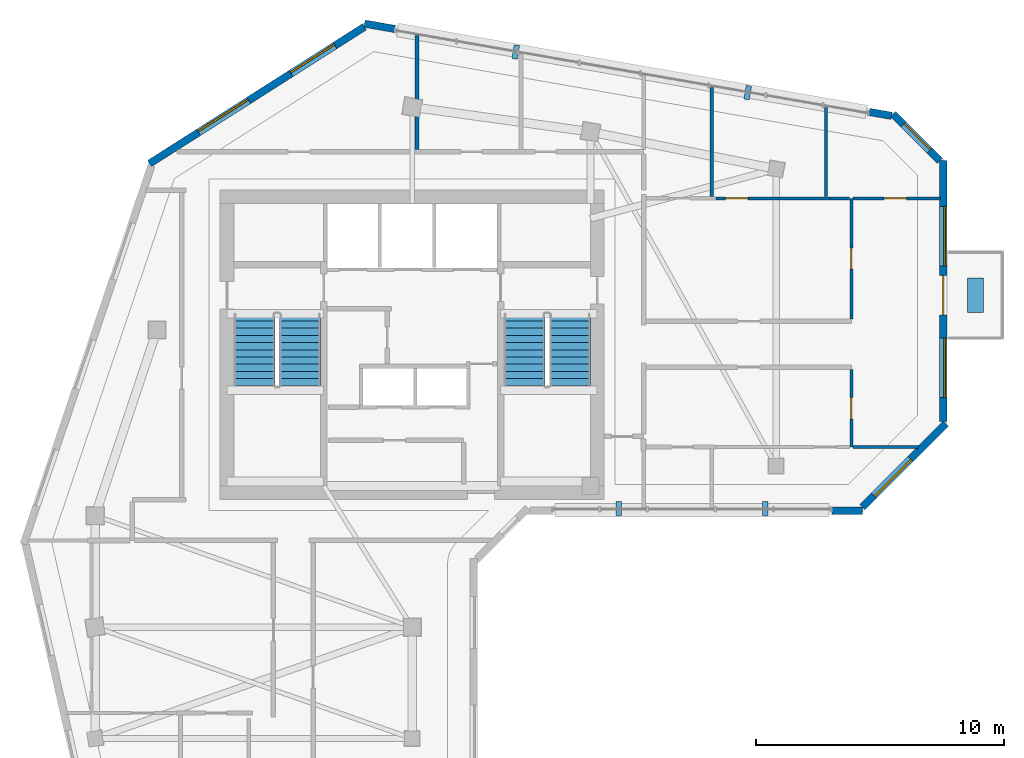
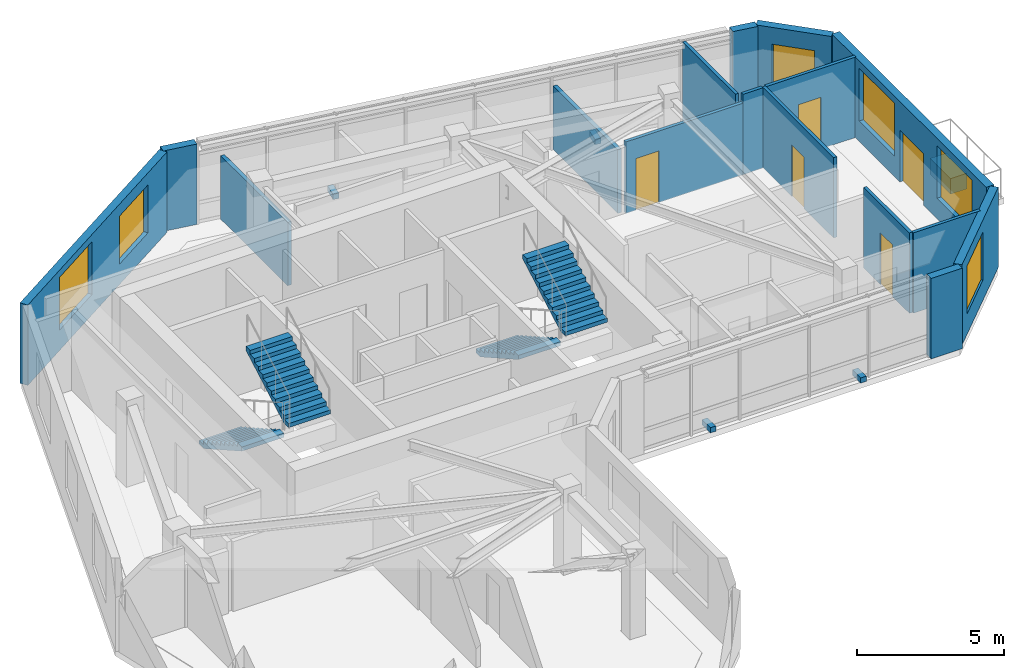
# One storey, part 6 of 9: 16 walls, 6 windows, 5 discrete accessories, 5 doors, 4 stair flights, 11 openings, 2 elements without a shape of their own.
"""IFC4 building model written with IfcOpenShell, lengths in metres."""

from ifc_helpers import new_model, si_unit, direction, frame, frame_2d, origin, origin_2d, place, context, subcontext, project, spatial, polyline, rectangle, outline, extrude, source, transform, mapped, material, layer, layer_set, type_object, element, fill, aggregate, save


model = new_model("IFC4")

# Units and contexts
model_context = context("Model", 3, precision=1e-05, world=origin(), true_north=direction((0.0, 1.0)))
body_context = subcontext(model_context, "Body", "Model", "MODEL_VIEW")
ifc_project = project(units=[si_unit("LENGTHUNIT", "METRE"), si_unit("AREAUNIT", "SQUARE_METRE"), si_unit("VOLUMEUNIT", "CUBIC_METRE"), si_unit("PLANEANGLEUNIT", "RADIAN"), si_unit("MASSUNIT", "GRAM", prefix="KILO")], contexts=[model_context])

# Site, building, storey
site_placement = place(None, origin())
site = spatial("IfcSite", under=ifc_project, at=site_placement, CompositionType="ELEMENT")
building_placement = place(site_placement, origin())
building = spatial("IfcBuilding", under=site, at=building_placement, Name="Calvemar Wedge Station Tower", CompositionType="ELEMENT")
storey_placement = place(building_placement, frame((0.0, 0.0, 260.10009765625)))
storey = spatial("IfcBuildingStorey", under=building, at=storey_placement, Name="L66", CompositionType="ELEMENT", Elevation=260.10009765625)

# Wall
ifc_material_1 = material(Name="Precast concrete C45", Category="concrete")
ifc_layer_1 = layer(ifc_material_1, 0.300048828125)
ifc_layer_set_1 = layer_set([ifc_layer_1], Name="Precast concrete C45")
wall_type_1 = type_object("IfcWallType", Name="W-EXT-GFRC-300", PredefinedType="SOLIDWALL", material=ifc_layer_set_1)
wall_1_placement = place(storey_placement, frame((40.7578125, 33.2060546875, 0.0), z_axis=(0.0, 0.0, 1.0), x_axis=(1.0, 0.0, 0.0)))
element("IfcWall", 1, at=wall_1_placement, inside=storey, type_object=wall_type_1, Name="Storey L66 Bronze GFRC Corner Pier 6B", PredefinedType="SOLIDWALL", context=body_context, shape_type="SweptSolid", body=[
    extrude(rectangle(XDim=1.22998046875, YDim=0.300048828125, at=frame_2d((0.614990234375, 0.0))), origin(), (0.0, 0.0, 1.0), 3.349853515625),
])

# Wall, opening, window
wall_2_placement = place(storey_placement, frame((41.975830078125, 33.343994140625, 0.0), z_axis=(0.0, 0.0, 1.0), x_axis=(0.707132316343, 0.707081245108, 0.0)))
wall_2 = element("IfcWall", 2, at=wall_2_placement, inside=storey, type_object=wall_type_1, Name="Storey L66 Bronze GFRC Exterior Wall 7", PredefinedType="SOLIDWALL", context=body_context, shape_type="SweptSolid", body=[
    extrude(rectangle(XDim=4.7802734375, YDim=0.300048828125, at=frame_2d((2.39013671875, 0.0))), origin(), (0.0, 0.0, 1.0), 3.349853515625),
])
shared_shape_1 = source(origin(), body_context, "Body", "SweptSolid", [
    extrude(rectangle(XDim=2.10009765625, YDim=2.0, at=frame_2d((1.050048828125, 1.0))), frame((0.0, 0.16015625, 0.0), z_axis=(0.0, -1.0, 0.0), x_axis=(1.0, 0.0, 0.0)), (0.0, 0.0, 1.0), 0.320068359375),
])
opening_1_placement = place(wall_2_placement, frame((0.658935546875, 0.0, 0.85009765625)))
opening_1 = element("IfcOpeningElement", 3, at=opening_1_placement, cuts=wall_2, Name="Opening W4", PredefinedType="OPENING", context=body_context, shape_type="MappedRepresentation", body=[
    mapped(shared_shape_1, transform((0.0, 0.0, 0.0), scale=1.0)),
])
ifc_material_2 = material(Name="Low-E laminated insulated glass", Category="glass")
window_type_1 = type_object("IfcWindowType", Name="WIN-EXT-4", PartitioningType="SINGLE_PANEL", PredefinedType="WINDOW", material=ifc_material_2)
shared_shape_2 = source(origin(), body_context, "Body", "SweptSolid", [
    extrude(rectangle(XDim=2.10009765625, YDim=2.0, at=frame_2d((1.050048828125, 1.0))), frame((0.0, -0.014892578125, 0.0), z_axis=(0.0, -1.0, 0.0), x_axis=(1.0, 0.0, 0.0)), (0.0, 0.0, 1.0), 0.06005859375),
])
window_1_placement = place(opening_1_placement, origin())
window_1 = element("IfcWindow", 4, at=window_1_placement, inside=storey, type_object=window_type_1, Name="Storey L66 Recessed Window 7.1", OverallHeight=2.0, OverallWidth=2.10009765625, PartitioningType="SINGLE_PANEL", PredefinedType="WINDOW", context=body_context, shape_type="MappedRepresentation", body=[
    mapped(shared_shape_2, transform((0.0, 0.0, 0.0), scale=1.0)),
])
fill(opening_1, window_1)

# Wall, openings, windows, door
wall_3_placement = place(storey_placement, frame((45.25, 36.813232421875, 0.0), z_axis=(0.0, 0.0, 1.0), x_axis=(0.0, 1.0, 0.0)))
wall_3 = element("IfcWall", 5, at=wall_3_placement, inside=storey, type_object=wall_type_1, Name="Storey L66 Bronze GFRC Exterior Wall 8", PredefinedType="SOLIDWALL", context=body_context, shape_type="SweptSolid", body=[
    extrude(rectangle(XDim=10.53076171875, YDim=0.300048828125, at=frame_2d((5.265380859375, 0.0))), origin(), (0.0, 0.0, 1.0), 3.349853515625),
])
shared_shape_3 = source(origin(), body_context, "Body", "SweptSolid", [
    extrude(rectangle(XDim=1.60009765625, YDim=2.14990234375, at=frame_2d((0.800048828125, 1.074951171875))), frame((0.0, 0.16015625, 0.0), z_axis=(0.0, -1.0, 0.0), x_axis=(1.0, 0.0, 0.0)), (0.0, 0.0, 1.0), 0.320068359375),
])
opening_2_placement = place(wall_3_placement, frame((4.29296875, 0.0, 0.0)))
opening_2 = element("IfcOpeningElement", 6, at=opening_2_placement, cuts=wall_3, Name="Opening DT1", PredefinedType="OPENING", context=body_context, shape_type="MappedRepresentation", body=[
    mapped(shared_shape_3, transform((0.0, 0.0, 0.0), scale=1.0)),
])
shared_shape_4 = source(origin(), body_context, "Body", "SweptSolid", [
    extrude(rectangle(XDim=2.39990234375, YDim=2.199951171875, at=frame_2d((1.199951171875, 1.10009765625))), frame((0.0, 0.16015625, 0.0), z_axis=(0.0, -1.0, 0.0), x_axis=(1.0, 0.0, 0.0)), (0.0, 0.0, 1.0), 0.320068359375),
])
opening_3_placement = place(wall_3_placement, frame((0.967041015625, 0.0, 0.85009765625)))
opening_3 = element("IfcOpeningElement", 7, at=opening_3_placement, cuts=wall_3, Name="Opening W1", PredefinedType="OPENING", context=body_context, shape_type="MappedRepresentation", body=[
    mapped(shared_shape_4, transform((0.0, 0.0, 0.0), scale=1.0)),
])
opening_4_placement = place(wall_3_placement, frame((6.277099609375, 0.0, 0.85009765625)))
opening_4 = element("IfcOpeningElement", 8, at=opening_4_placement, cuts=wall_3, Name="Opening W1", PredefinedType="OPENING", context=body_context, shape_type="MappedRepresentation", body=[
    mapped(shared_shape_4, transform((0.0, 0.0, 0.0), scale=1.0)),
])
window_type_2 = type_object("IfcWindowType", Name="WIN-EXT-1", PartitioningType="SINGLE_PANEL", PredefinedType="WINDOW", material=ifc_material_2)
shared_shape_5 = source(origin(), body_context, "Body", "SweptSolid", [
    extrude(rectangle(XDim=2.39990234375, YDim=2.199951171875, at=frame_2d((1.199951171875, 1.10009765625))), frame((0.0, -0.014892578125, 0.0), z_axis=(0.0, -1.0, 0.0), x_axis=(1.0, 0.0, 0.0)), (0.0, 0.0, 1.0), 0.06005859375),
])
window_2_placement = place(opening_3_placement, origin())
window_2 = element("IfcWindow", 9, at=window_2_placement, inside=storey, type_object=window_type_2, Name="Storey L66 Recessed Window 8.1", OverallHeight=2.199951171875, OverallWidth=2.39990234375, PartitioningType="SINGLE_PANEL", PredefinedType="WINDOW", context=body_context, shape_type="MappedRepresentation", body=[
    mapped(shared_shape_5, transform((0.0, 0.0, 0.0), scale=1.0)),
])
fill(opening_3, window_2)
window_3_placement = place(opening_4_placement, origin())
window_3 = element("IfcWindow", 10, at=window_3_placement, inside=storey, type_object=window_type_2, Name="Storey L66 Recessed Window 8.2", OverallHeight=2.199951171875, OverallWidth=2.39990234375, PartitioningType="SINGLE_PANEL", PredefinedType="WINDOW", context=body_context, shape_type="MappedRepresentation", body=[
    mapped(shared_shape_5, transform((0.0, 0.0, 0.0), scale=1.0)),
])
fill(opening_4, window_3)
ifc_material_3 = material(Name="Anodised aluminium 6063-T6", Category="aluminium")
door_type_1 = type_object("IfcDoorType", Name="DR-TERR-1600", OperationType="DOUBLE_DOOR_SLIDING", PredefinedType="DOOR", material=ifc_material_3)
shared_shape_6 = source(origin(), body_context, "Body", "SweptSolid", [
    extrude(rectangle(XDim=1.60009765625, YDim=2.14990234375, at=frame_2d((0.800048828125, 1.074951171875))), frame((0.0, 0.02490234375, 0.0), z_axis=(0.0, -1.0, 0.0), x_axis=(1.0, 0.0, 0.0)), (0.0, 0.0, 1.0), 0.050048828125),
])
door_1_placement = place(opening_2_placement, origin())
door_1 = element("IfcDoor", 11, at=door_1_placement, inside=storey, type_object=door_type_1, Name="Storey L66 Spiral Terrace Door", OperationType="DOUBLE_DOOR_SLIDING", OverallHeight=2.14990234375, OverallWidth=1.60009765625, PredefinedType="DOOR", context=body_context, shape_type="MappedRepresentation", body=[
    mapped(shared_shape_6, transform((0.0, 0.0, 0.0), scale=1.0)),
])
fill(opening_2, door_1)

# Wall, opening, window
wall_4_placement = place(storey_placement, frame((45.112060546875, 47.331787109375, 0.0), z_axis=(0.0, 0.0, 1.0), x_axis=(-0.707106781187, 0.707106781187, 0.0)))
wall_4 = element("IfcWall", 12, at=wall_4_placement, inside=storey, type_object=wall_type_1, Name="Storey L66 Bronze GFRC Exterior Wall 9", PredefinedType="SOLIDWALL", context=body_context, shape_type="SweptSolid", body=[
    extrude(rectangle(XDim=2.673828125, YDim=0.300048828125, at=frame_2d((1.3369140625, 0.0))), origin(), (0.0, 0.0, 1.0), 3.349853515625),
])
shared_shape_7 = source(origin(), body_context, "Body", "SweptSolid", [
    extrude(rectangle(XDim=1.5, YDim=1.800048828125, at=frame_2d((0.75, 0.89990234375))), frame((0.0, 0.16015625, 0.0), z_axis=(0.0, -1.0, 0.0), x_axis=(1.0, 0.0, 0.0)), (0.0, 0.0, 1.0), 0.320068359375),
])
opening_5_placement = place(wall_4_placement, frame((0.5869140625, 0.0, 0.85009765625)))
opening_5 = element("IfcOpeningElement", 13, at=opening_5_placement, cuts=wall_4, Name="Opening W3", PredefinedType="OPENING", context=body_context, shape_type="MappedRepresentation", body=[
    mapped(shared_shape_7, transform((0.0, 0.0, 0.0), scale=1.0)),
])
window_type_3 = type_object("IfcWindowType", Name="WIN-EXT-3", PartitioningType="SINGLE_PANEL", PredefinedType="WINDOW", material=ifc_material_2)
shared_shape_8 = source(origin(), body_context, "Body", "SweptSolid", [
    extrude(rectangle(XDim=1.5, YDim=1.800048828125, at=frame_2d((0.75, 0.89990234375))), frame((0.0, -0.014892578125, 0.0), z_axis=(0.0, -1.0, 0.0), x_axis=(1.0, 0.0, 0.0)), (0.0, 0.0, 1.0), 0.06005859375),
])
window_4_placement = place(opening_5_placement, origin())
window_4 = element("IfcWindow", 14, at=window_4_placement, inside=storey, type_object=window_type_3, Name="Storey L66 Recessed Window 9.1", OverallHeight=1.800048828125, OverallWidth=1.5, PartitioningType="SINGLE_PANEL", PredefinedType="WINDOW", context=body_context, shape_type="MappedRepresentation", body=[
    mapped(shared_shape_8, transform((0.0, 0.0, 0.0), scale=1.0)),
])
fill(opening_5, window_4)

# Walls
wall_5_placement = place(storey_placement, frame((43.161376953125, 49.1455078125, 0.0), z_axis=(0.0, 0.0, 1.0), x_axis=(-0.985052066521, 0.172256861238, 0.0)))
element("IfcWall", 15, at=wall_5_placement, inside=storey, type_object=wall_type_1, Name="Storey L66 Bronze GFRC Corner Pier 10A", PredefinedType="SOLIDWALL", context=body_context, shape_type="SweptSolid", body=[
    extrude(rectangle(XDim=0.911376953125, YDim=0.300048828125, at=frame_2d((0.45556640625, 0.0))), origin(), (0.0, 0.0, 1.0), 3.349853515625),
])
wall_6_placement = place(storey_placement, frame((23.09521484375, 52.656005859375, 0.0), z_axis=(0.0, 0.0, 1.0), x_axis=(-0.985008549623, 0.172505527937, 0.0)))
element("IfcWall", 16, at=wall_6_placement, inside=storey, type_object=wall_type_1, Name="Storey L66 Bronze GFRC Corner Pier 10B", PredefinedType="SOLIDWALL", context=body_context, shape_type="SweptSolid", body=[
    extrude(rectangle(XDim=1.22998046875, YDim=0.300048828125, at=frame_2d((0.614990234375, 0.0))), origin(), (0.0, 0.0, 1.0), 3.349853515625),
])

# Wall, openings, windows
wall_7_placement = place(storey_placement, frame((21.873779296875, 52.741943359375, 0.0), z_axis=(0.0, 0.0, 1.0), x_axis=(-0.84365659959, -0.536883173482, 0.0)))
wall_7 = element("IfcWall", 17, at=wall_7_placement, inside=storey, type_object=wall_type_1, Name="Storey L66 Bronze GFRC Exterior Wall 11", PredefinedType="SOLIDWALL", context=body_context, shape_type="SweptSolid", body=[
    extrude(rectangle(XDim=10.282958984375, YDim=0.300048828125, at=frame_2d((5.1416015625, 0.0))), origin(), (0.0, 0.0, 1.0), 3.349853515625),
])
opening_6_placement = place(wall_7_placement, frame((1.409912109375, 0.0, 0.85009765625)))
opening_6 = element("IfcOpeningElement", 18, at=opening_6_placement, cuts=wall_7, Name="Opening W4", PredefinedType="OPENING", context=body_context, shape_type="MappedRepresentation", body=[
    mapped(shared_shape_1, transform((0.0, 0.0, 0.0), scale=1.0)),
])
opening_7_placement = place(wall_7_placement, frame((5.5400390625, 0.0, 0.85009765625)))
opening_7 = element("IfcOpeningElement", 19, at=opening_7_placement, cuts=wall_7, Name="Opening W1", PredefinedType="OPENING", context=body_context, shape_type="MappedRepresentation", body=[
    mapped(shared_shape_4, transform((0.0, 0.0, 0.0), scale=1.0)),
])
window_5_placement = place(opening_6_placement, origin())
window_5 = element("IfcWindow", 20, at=window_5_placement, inside=storey, type_object=window_type_1, Name="Storey L66 Recessed Window 11.1", OverallHeight=2.0, OverallWidth=2.10009765625, PartitioningType="SINGLE_PANEL", PredefinedType="WINDOW", context=body_context, shape_type="MappedRepresentation", body=[
    mapped(shared_shape_2, transform((0.0, 0.0, 0.0), scale=1.0)),
])
fill(opening_6, window_5)
window_6_placement = place(opening_7_placement, origin())
window_6 = element("IfcWindow", 21, at=window_6_placement, inside=storey, type_object=window_type_2, Name="Storey L66 Recessed Window 11.2", OverallHeight=2.199951171875, OverallWidth=2.39990234375, PartitioningType="SINGLE_PANEL", PredefinedType="WINDOW", context=body_context, shape_type="MappedRepresentation", body=[
    mapped(shared_shape_5, transform((0.0, 0.0, 0.0), scale=1.0)),
])
fill(opening_7, window_6)

# Wall, opening, door
ifc_material_4 = material(Name="Insulated acoustic gypsum stud partition")
ifc_layer_2 = layer(ifc_material_4, 0.125)
ifc_layer_set_2 = layer_set([ifc_layer_2], Name="Insulated acoustic gypsum stud partition")
wall_type_2 = type_object("IfcWallType", Name="W-PART-125", PredefinedType="PARTITIONING", material=ifc_layer_set_2)
wall_8_placement = place(storey_placement, frame((41.534912109375, 45.81494140625, 0.0), z_axis=(0.0, 0.0, 1.0), x_axis=(0.0, -1.0, 0.0)))
wall_8 = element("IfcWall", 22, at=wall_8_placement, inside=storey, type_object=wall_type_2, Name="Storey L66 Interior Partition WL-L66-030", PredefinedType="PARTITIONING", context=body_context, shape_type="SweptSolid", body=[
    extrude(rectangle(XDim=4.870849609375, YDim=0.125, at=frame_2d((2.435546875, 0.0))), origin(), (0.0, 0.0, 1.0), 3.349853515625),
])
shared_shape_9 = source(origin(), body_context, "Body", "SweptSolid", [
    extrude(rectangle(XDim=0.85009765625, YDim=2.14990234375, at=frame_2d((0.425048828125, 1.074951171875))), frame((0.0, 0.072509765625, 0.0), z_axis=(0.0, -1.0, 0.0), x_axis=(1.0, 0.0, 0.0)), (0.0, 0.0, 1.0), 0.14501953125),
])
opening_8_placement = place(wall_8_placement, frame((2.010498046875, 0.0, 0.0)))
opening_8 = element("IfcOpeningElement", 23, at=opening_8_placement, cuts=wall_8, Name="Opening D-02", PredefinedType="OPENING", context=body_context, shape_type="MappedRepresentation", body=[
    mapped(shared_shape_9, transform((0.0, 0.0, 0.0), scale=1.0)),
])
ifc_material_5 = material(Name="Moisture-sealed bathroom hardwood swing door", Category="wood")
door_type_2 = type_object("IfcDoorType", Name="DR-WET-850", OperationType="NOTDEFINED", PredefinedType="DOOR", material=ifc_material_5)
shared_shape_10 = source(origin(), body_context, "Body", "SweptSolid", [
    extrude(rectangle(XDim=0.85009765625, YDim=2.14990234375, at=frame_2d((0.425048828125, 1.074951171875))), frame((0.0, 0.02490234375, 0.0), z_axis=(0.0, -1.0, 0.0), x_axis=(1.0, 0.0, 0.0)), (0.0, 0.0, 1.0), 0.050048828125),
])
door_2_placement = place(opening_8_placement, origin())
door_2 = element("IfcDoor", 24, at=door_2_placement, inside=storey, type_object=door_type_2, Name="L66 Kitchen Door", OperationType="SINGLE_SWING_LEFT", OverallHeight=2.14990234375, OverallWidth=0.85009765625, PredefinedType="DOOR", context=body_context, shape_type="MappedRepresentation", body=[
    mapped(shared_shape_10, transform((0.0, 0.0, 0.0), scale=1.0)),
])
fill(opening_8, door_2)

wall_9_placement = place(storey_placement, frame((36.06201171875, 45.81494140625, 0.0), z_axis=(0.0, 0.0, 1.0), x_axis=(1.0, 0.0, 0.0)))
wall_9 = element("IfcWall", 25, at=wall_9_placement, inside=storey, type_object=wall_type_2, Name="Storey L66 Interior Partition WL-L66-032", PredefinedType="PARTITIONING", context=body_context, shape_type="SweptSolid", body=[
    extrude(rectangle(XDim=4.614990234375, YDim=0.125, at=frame_2d((2.3076171875, 0.0))), origin(), (0.0, 0.0, 1.0), 2.97900390625),
])
shared_shape_11 = source(origin(), body_context, "Body", "SweptSolid", [
    extrude(rectangle(XDim=0.89990234375, YDim=2.14990234375, at=frame_2d((0.449951171875, 1.074951171875))), frame((0.0, 0.072509765625, 0.0), z_axis=(0.0, -1.0, 0.0), x_axis=(1.0, 0.0, 0.0)), (0.0, 0.0, 1.0), 0.14501953125),
])
opening_9_placement = place(wall_9_placement, frame((0.4013671875, 0.0, 0.0)))
opening_9 = element("IfcOpeningElement", 26, at=opening_9_placement, cuts=wall_9, Name="Opening D-01", PredefinedType="OPENING", context=body_context, shape_type="MappedRepresentation", body=[
    mapped(shared_shape_11, transform((0.0, 0.0, 0.0), scale=1.0)),
])
ifc_material_6 = material(Name="Architectural hardwood acoustic swing door", Category="wood")
door_type_3 = type_object("IfcDoorType", Name="DR-INT-900", OperationType="NOTDEFINED", PredefinedType="DOOR", material=ifc_material_6)
shared_shape_12 = source(origin(), body_context, "Body", "SweptSolid", [
    extrude(rectangle(XDim=0.89990234375, YDim=2.14990234375, at=frame_2d((0.449951171875, 1.074951171875))), frame((0.0, 0.02490234375, 0.0), z_axis=(0.0, -1.0, 0.0), x_axis=(1.0, 0.0, 0.0)), (0.0, 0.0, 1.0), 0.050048828125),
])
door_3_placement = place(opening_9_placement, origin())
door_3 = element("IfcDoor", 27, at=door_3_placement, inside=storey, type_object=door_type_3, Name="L66 Master Bedroom Door", OperationType="SINGLE_SWING_LEFT", OverallHeight=2.14990234375, OverallWidth=0.89990234375, PredefinedType="DOOR", context=body_context, shape_type="MappedRepresentation", body=[
    mapped(shared_shape_12, transform((0.0, 0.0, 0.0), scale=1.0)),
])
fill(opening_9, door_3)

# Wall
wall_10_placement = place(storey_placement, frame((40.678955078125, 45.81494140625, 0.0), z_axis=(0.0, 0.0, 1.0), x_axis=(1.0, 0.0, 0.0)))
element("IfcWall", 28, at=wall_10_placement, inside=storey, type_object=wall_type_2, Name="Storey L66 Interior Partition WL-L66-033", PredefinedType="PARTITIONING", context=body_context, shape_type="SweptSolid", body=[
    extrude(rectangle(XDim=0.78955078125, YDim=0.125, at=frame_2d((0.394775390625, 0.0))), origin(), (0.0, 0.0, 1.0), 3.349853515625),
])

# Wall, opening, door
wall_11_placement = place(storey_placement, frame((41.6015625, 45.81494140625, 0.0), z_axis=(0.0, 0.0, 1.0), x_axis=(1.0, 0.0, 0.0)))
wall_11 = element("IfcWall", 29, at=wall_11_placement, inside=storey, type_object=wall_type_2, Name="Storey L66 Interior Partition WL-L66-034", PredefinedType="PARTITIONING", context=body_context, shape_type="SweptSolid", body=[
    extrude(rectangle(XDim=3.533447265625, YDim=0.125, at=frame_2d((1.7666015625, 0.0))), origin(), (0.0, 0.0, 1.0), 3.349853515625),
])
opening_10_placement = place(wall_11_placement, frame((1.255859375, 0.0, 0.0)))
opening_10 = element("IfcOpeningElement", 30, at=opening_10_placement, cuts=wall_11, Name="Opening D-01", PredefinedType="OPENING", context=body_context, shape_type="MappedRepresentation", body=[
    mapped(shared_shape_11, transform((0.0, 0.0, 0.0), scale=1.0)),
])
door_4_placement = place(opening_10_placement, origin())
door_4 = element("IfcDoor", 31, at=door_4_placement, inside=storey, type_object=door_type_3, Name="L66 Master Bedroom Door", OperationType="SINGLE_SWING_RIGHT", OverallHeight=2.14990234375, OverallWidth=0.89990234375, PredefinedType="DOOR", context=body_context, shape_type="MappedRepresentation", body=[
    mapped(shared_shape_12, transform((0.0, 0.0, 0.0), scale=1.0)),
])
fill(opening_10, door_4)

# Wall
wall_12_placement = place(storey_placement, frame((40.51708984375, 49.491455078125, 0.0), z_axis=(0.0, 0.0, 1.0), x_axis=(0.0, -1.0, 0.0)))
element("IfcWall", 32, at=wall_12_placement, inside=storey, type_object=wall_type_2, Name="Storey L66 Interior Partition WL-L66-036", PredefinedType="PARTITIONING", context=body_context, shape_type="SweptSolid", body=[
    extrude(rectangle(XDim=3.60986328125, YDim=0.125, at=frame_2d((1.804931640625, 0.0))), origin(), (0.0, 0.0, 1.0), 3.349853515625),
])

# Wall, opening, door
wall_13_placement = place(storey_placement, frame((41.534912109375, 38.906005859375, 0.0), z_axis=(0.0, 0.0, 1.0), x_axis=(0.0, -1.0, 0.0)))
wall_13 = element("IfcWall", 33, at=wall_13_placement, inside=storey, type_object=wall_type_2, Name="Storey L66 Interior Partition WL-L66-037", PredefinedType="PARTITIONING", context=body_context, shape_type="SweptSolid", body=[
    extrude(rectangle(XDim=3.135009765625, YDim=0.125, at=frame_2d((1.5673828125, 0.0))), origin(), (0.0, 0.0, 1.0), 3.349853515625),
])
opening_11_placement = place(wall_13_placement, frame((1.142578125, 0.0, 0.0)))
opening_11 = element("IfcOpeningElement", 34, at=opening_11_placement, cuts=wall_13, Name="Opening D-02", PredefinedType="OPENING", context=body_context, shape_type="MappedRepresentation", body=[
    mapped(shared_shape_9, transform((0.0, 0.0, 0.0), scale=1.0)),
])
door_5_placement = place(opening_11_placement, origin())
door_5 = element("IfcDoor", 35, at=door_5_placement, inside=storey, type_object=door_type_2, Name="L66 Kitchen Door", OperationType="SINGLE_SWING_RIGHT", OverallHeight=2.14990234375, OverallWidth=0.85009765625, PredefinedType="DOOR", context=body_context, shape_type="MappedRepresentation", body=[
    mapped(shared_shape_10, transform((0.0, 0.0, 0.0), scale=1.0)),
])
fill(opening_11, door_5)

# Walls
wall_14_placement = place(storey_placement, frame((44.240234375, 35.77099609375, 0.0), z_axis=(0.0, 0.0, 1.0), x_axis=(-1.0, 0.0, 0.0)))
element("IfcWall", 36, at=wall_14_placement, inside=storey, type_object=wall_type_2, Name="Storey L66 Interior Partition WL-L66-040", PredefinedType="PARTITIONING", context=body_context, shape_type="SweptSolid", body=[
    extrude(rectangle(XDim=2.638671875, YDim=0.125, at=frame_2d((1.3193359375, 0.0))), origin(), (0.0, 0.0, 1.0), 3.349853515625),
])
ifc_material_7 = material(Name="Moisture-resistant acoustic bathroom partition")
ifc_layer_3 = layer(ifc_material_7, 0.14990234375)
ifc_layer_set_3 = layer_set([ifc_layer_3], Name="Moisture-resistant acoustic bathroom partition")
wall_type_3 = type_object("IfcWallType", Name="W-WET-150", PredefinedType="PARTITIONING", material=ifc_layer_set_3)
wall_15_placement = place(storey_placement, frame((24.0, 52.381103515625, 0.0), z_axis=(0.0, 0.0, 1.0), x_axis=(0.0, -1.0, 0.0)))
element("IfcWall", 37, at=wall_15_placement, inside=storey, type_object=wall_type_3, Name="Storey L66 Interior Partition WL-L66-023", PredefinedType="PARTITIONING", context=body_context, shape_type="SweptSolid", body=[
    extrude(rectangle(XDim=4.587158203125, YDim=0.14990234375, at=frame_2d((2.29345703125, 0.0))), origin(), (0.0, 0.0, 1.0), 2.641845703125),
])
wall_16_placement = place(storey_placement, frame((35.89990234375, 50.299072265625, 0.0), z_axis=(0.0, 0.0, 1.0), x_axis=(0.0, -1.0, 0.0)))
element("IfcWall", 38, at=wall_16_placement, inside=storey, type_object=wall_type_3, Name="Storey L66 Interior Partition WL-L66-035", PredefinedType="PARTITIONING", context=body_context, shape_type="SweptSolid", body=[
    extrude(rectangle(XDim=4.405029296875, YDim=0.14990234375, at=frame_2d((2.20263671875, 0.0))), origin(), (0.0, 0.0, 1.0), 2.641845703125),
])

# Stair, stair flights
ifc_material_8 = material(Name="Concrete C45", Category="concrete")
stair_type = type_object("IfcStairType", Name="ST-TYPE-3600", PredefinedType="HALF_TURN_STAIR", material=ifc_material_8)
stair_1_placement = place(storey_placement, origin())
stair_1 = element("IfcStair", 39, at=stair_1_placement, inside=storey, type_object=stair_type, Name="L66 Pressurized Core Exit Stair ST-C1", PredefinedType="HALF_TURN_STAIR")
stair_flight_type = type_object("IfcStairFlightType", Name="STF-TYPE-3600", PredefinedType="STRAIGHT", material=ifc_material_8)
stair_flight_1_placement = place(storey_placement, frame((17.429931640625, 41.14990234375, 0.0), z_axis=(0.0, 0.0, 1.0), x_axis=(0.0, -1.0, 0.0)))
stair_flight_1 = element("IfcStairFlight", 40, at=stair_flight_1_placement, type_object=stair_flight_type, Name="ST-C1 flight 1", NumberOfRisers=11, NumberOfTreads=10, PredefinedType="STRAIGHT", RiserHeight=0.163636364, TreadLength=0.29, context=body_context, shape_type="SweptSolid", body=[
    extrude(outline(polyline([(0.0, 0.0), (0.0, 0.16357421875), (0.2900390625, 0.16357421875), (0.2900390625, 0.327392578125), (0.580078125, 0.327392578125), (0.580078125, 0.490966796875), (0.8701171875, 0.490966796875), (0.8701171875, 0.654541015625), (1.159912109375, 0.654541015625), (1.159912109375, 0.818115234375), (1.449951171875, 0.818115234375), (1.449951171875, 0.98193359375), (1.739990234375, 0.98193359375), (1.739990234375, 1.1455078125), (2.030029296875, 1.1455078125), (2.030029296875, 1.30908203125), (2.320068359375, 1.30908203125), (2.320068359375, 1.47265625), (2.610107421875, 1.47265625), (2.610107421875, 1.636474609375), (2.89990234375, 1.636474609375), (2.89990234375, 1.800048828125), (2.89990234375, 1.46435546875), (0.304931640625, 0.0), (0.0, 0.0)])), frame((0.0, 0.830078125, 0.0), z_axis=(0.0, -1.0, 0.0), x_axis=(1.0, 0.0, 0.0)), (0.0, 0.0, 1.0), 1.659912109375),
])
stair_flight_2_placement = place(storey_placement, frame((19.27001953125, 38.25, 1.7998046875), z_axis=(0.0, 0.0, 1.0), x_axis=(0.0, 1.0, 0.0)))
stair_flight_2 = element("IfcStairFlight", 41, at=stair_flight_2_placement, type_object=stair_flight_type, Name="ST-C1 flight 2", NumberOfRisers=11, NumberOfTreads=10, PredefinedType="STRAIGHT", RiserHeight=0.163636364, TreadLength=0.29, context=body_context, shape_type="SweptSolid", body=[
    extrude(outline(polyline([(0.0, 0.0), (0.0, 0.16357421875), (0.2900390625, 0.16357421875), (0.2900390625, 0.327392578125), (0.580078125, 0.327392578125), (0.580078125, 0.490966796875), (0.8701171875, 0.490966796875), (0.8701171875, 0.654541015625), (1.159912109375, 0.654541015625), (1.159912109375, 0.818115234375), (1.449951171875, 0.818115234375), (1.449951171875, 0.98193359375), (1.739990234375, 0.98193359375), (1.739990234375, 1.1455078125), (2.030029296875, 1.1455078125), (2.030029296875, 1.30908203125), (2.320068359375, 1.30908203125), (2.320068359375, 1.47265625), (2.610107421875, 1.47265625), (2.610107421875, 1.636474609375), (2.89990234375, 1.636474609375), (2.89990234375, 1.800048828125), (2.89990234375, 1.46435546875), (0.304931640625, 0.0), (0.0, 0.0)])), frame((0.0, 0.830078125, 0.0), z_axis=(0.0, -1.0, 0.0), x_axis=(1.0, 0.0, 0.0)), (0.0, 0.0, 1.0), 1.659912109375),
])
aggregate(stair_1, [stair_flight_1, stair_flight_2])

stair_2_placement = place(storey_placement, origin())
stair_2 = element("IfcStair", 42, at=stair_2_placement, inside=storey, type_object=stair_type, Name="L66 Pressurized Core Exit Stair ST-C2", PredefinedType="HALF_TURN_STAIR")
stair_flight_3_placement = place(storey_placement, frame((28.330078125, 41.14990234375, 0.0), z_axis=(0.0, 0.0, 1.0), x_axis=(0.0, -1.0, 0.0)))
stair_flight_3 = element("IfcStairFlight", 43, at=stair_flight_3_placement, type_object=stair_flight_type, Name="ST-C2 flight 1", NumberOfRisers=11, NumberOfTreads=10, PredefinedType="STRAIGHT", RiserHeight=0.163636364, TreadLength=0.29, context=body_context, shape_type="SweptSolid", body=[
    extrude(outline(polyline([(0.0, 0.0), (0.0, 0.16357421875), (0.2900390625, 0.16357421875), (0.2900390625, 0.327392578125), (0.580078125, 0.327392578125), (0.580078125, 0.490966796875), (0.8701171875, 0.490966796875), (0.8701171875, 0.654541015625), (1.159912109375, 0.654541015625), (1.159912109375, 0.818115234375), (1.449951171875, 0.818115234375), (1.449951171875, 0.98193359375), (1.739990234375, 0.98193359375), (1.739990234375, 1.1455078125), (2.030029296875, 1.1455078125), (2.030029296875, 1.30908203125), (2.320068359375, 1.30908203125), (2.320068359375, 1.47265625), (2.610107421875, 1.47265625), (2.610107421875, 1.636474609375), (2.89990234375, 1.636474609375), (2.89990234375, 1.800048828125), (2.89990234375, 1.46435546875), (0.304931640625, 0.0), (0.0, 0.0)])), frame((0.0, 0.830078125, 0.0), z_axis=(0.0, -1.0, 0.0), x_axis=(1.0, 0.0, 0.0)), (0.0, 0.0, 1.0), 1.659912109375),
])
stair_flight_4_placement = place(storey_placement, frame((30.169921875, 38.25, 1.7998046875), z_axis=(0.0, 0.0, 1.0), x_axis=(0.0, 1.0, 0.0)))
stair_flight_4 = element("IfcStairFlight", 44, at=stair_flight_4_placement, type_object=stair_flight_type, Name="ST-C2 flight 2", NumberOfRisers=11, NumberOfTreads=10, PredefinedType="STRAIGHT", RiserHeight=0.163636364, TreadLength=0.29, context=body_context, shape_type="SweptSolid", body=[
    extrude(outline(polyline([(0.0, 0.0), (0.0, 0.16357421875), (0.2900390625, 0.16357421875), (0.2900390625, 0.327392578125), (0.580078125, 0.327392578125), (0.580078125, 0.490966796875), (0.8701171875, 0.490966796875), (0.8701171875, 0.654541015625), (1.159912109375, 0.654541015625), (1.159912109375, 0.818115234375), (1.449951171875, 0.818115234375), (1.449951171875, 0.98193359375), (1.739990234375, 0.98193359375), (1.739990234375, 1.1455078125), (2.030029296875, 1.1455078125), (2.030029296875, 1.30908203125), (2.320068359375, 1.30908203125), (2.320068359375, 1.47265625), (2.610107421875, 1.47265625), (2.610107421875, 1.636474609375), (2.89990234375, 1.636474609375), (2.89990234375, 1.800048828125), (2.89990234375, 1.46435546875), (0.304931640625, 0.0), (0.0, 0.0)])), frame((0.0, 0.830078125, 0.0), z_axis=(0.0, -1.0, 0.0), x_axis=(1.0, 0.0, 0.0)), (0.0, 0.0, 1.0), 1.659912109375),
])
aggregate(stair_2, [stair_flight_3, stair_flight_4])

# Discrete accessories
ifc_material_9 = material(Name="Stainless steel AISI 316L", Category="steel")
discrete_accessory_type_1 = type_object("IfcDiscreteAccessoryType", Name="BRK-316L", PredefinedType="BRACKET", material=ifc_material_9)
shared_shape_13 = source(origin(), body_context, "Body", "SweptSolid", [
    extrude(rectangle(XDim=0.219970703125, YDim=0.56005859375, at=origin_2d()), origin(), (0.0, 0.0, 1.0), 0.219970703125),
])
for number, where, z_axis, x_axis, name in (
    (45, (32.140869140625, 33.285888671875, 0.0), (0.0, 0.0, 1.0), (1.0, 0.0, 0.0), "Storey L66 Recessed Facade Stainless Bracket 6.1"),
    (46, (38.06689453125, 33.285888671875, 0.0), (0.0, 0.0, 1.0), (1.0, 0.0, 0.0), "Storey L66 Recessed Facade Stainless Bracket 6.2"),
    (47, (37.350830078125, 50.080810546875, 0.0), (0.0, 0.0, 1.0), (-0.985049251562, 0.172272957823, 0.0), "Storey L66 Recessed Facade Stainless Bracket 10.1"),
    (48, (27.98046875, 51.72021484375, 0.0), (0.0, 0.0, 1.0), (-0.985049251562, 0.172272957823, 0.0), "Storey L66 Recessed Facade Stainless Bracket 10.2"),
):
    element("IfcDiscreteAccessory", number, at=place(storey_placement, frame(where, z_axis=z_axis, x_axis=x_axis)), inside=storey, type_object=discrete_accessory_type_1, Name=name, PredefinedType="BRACKET", context=body_context, shape_type="MappedRepresentation", body=[
        mapped(shared_shape_13, transform((0.0, 0.0, 0.0), scale=1.0)),
    ])
discrete_accessory_type_2 = type_object("IfcDiscreteAccessoryType", Name="ACC-PLANTER", PredefinedType="USERDEFINED", material=ifc_material_1)
shared_shape_14 = source(origin(), body_context, "Body", "SweptSolid", [
    extrude(rectangle(XDim=0.64990234375, YDim=1.39990234375, at=origin_2d()), origin(), (0.0, 0.0, 1.0), 0.64990234375),
])
discrete_accessory_placement = place(storey_placement, frame((46.550048828125, 41.906005859375, 0.0), z_axis=(0.0, 0.0, 1.0), x_axis=(1.0, 0.0, 0.0)))
element("IfcDiscreteAccessory", 49, at=discrete_accessory_placement, inside=storey, type_object=discrete_accessory_type_2, Name="Storey L66 Planted Terrace GFRC Planter", ObjectType="PLANTER", PredefinedType="USERDEFINED", context=body_context, shape_type="MappedRepresentation", body=[
    mapped(shared_shape_14, transform((0.0, 0.0, 0.0), scale=1.0)),
])

save(model, "model.ifc")
